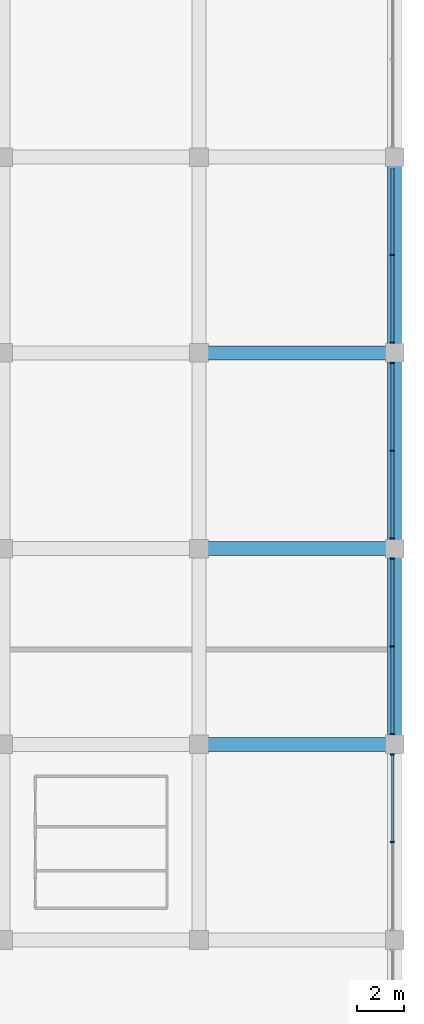
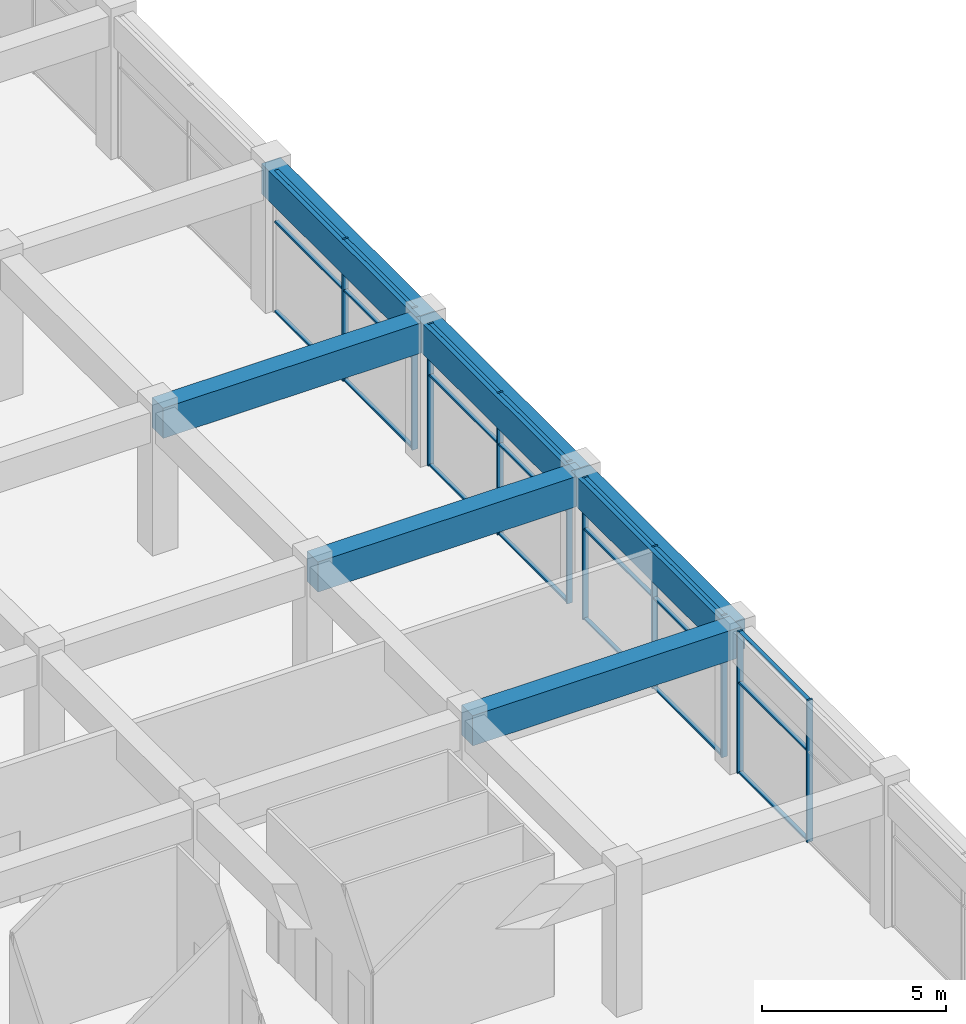
# One storey, part 16 of 34: 31 members, 6 beams, 4 elements without a shape of their own.
"""IFC4 building model written with IfcOpenShell, lengths in metres."""

from ifc_helpers import new_model, si_unit, direction, frame, origin, origin_2d, place, context, subcontext, project, spatial, rectangle, extrude, material, material_profile, profile_set, type_object, element, aggregate, save


model = new_model("IFC4")

# Units and contexts
model_context = context("Model", 3, precision=1e-05, world=origin(), true_north=direction((0.0, 1.0)))
body_context = subcontext(model_context, "Body", "Model", "MODEL_VIEW")
ifc_project = project(units=[si_unit("LENGTHUNIT", "METRE"), si_unit("AREAUNIT", "SQUARE_METRE"), si_unit("VOLUMEUNIT", "CUBIC_METRE"), si_unit("PLANEANGLEUNIT", "RADIAN"), si_unit("MASSUNIT", "GRAM", prefix="KILO")], contexts=[model_context])

# Site, building, storey
site_placement = place(None, origin())
site = spatial("IfcSite", under=ifc_project, at=site_placement, CompositionType="ELEMENT")
building_placement = place(site_placement, origin())
building = spatial("IfcBuilding", under=site, at=building_placement, Name="Impinga Residences", CompositionType="ELEMENT")
storey_placement = place(building_placement, frame((0.0, 0.0, 16.0)))
storey = spatial("IfcBuildingStorey", under=building, at=storey_placement, Name="L03", CompositionType="ELEMENT", Elevation=16.0)

# Curtain wall, members
ifc_material_1 = material(Name="Aluminium stick curtain wall", Category="aluminium")
curtain_wall_type = type_object("IfcCurtainWallType", Name="CW1 podium amenity curtain wall", PredefinedType="USERDEFINED", material=ifc_material_1)
curtain_wall_1_placement = place(storey_placement, origin())
curtain_wall_1 = element("IfcCurtainWall", 1, at=curtain_wall_1_placement, inside=storey, type_object=curtain_wall_type, Name="Curtain wall CW1 L03", ObjectType="STICK CURTAIN WALL", PredefinedType="USERDEFINED")
ifc_material_2 = material(Name="Aluminium mullion", Category="aluminium")
ifc_material_profile_1 = material_profile(ifc_material_2, rectangle(XDim=0.06005859375, YDim=0.179931640625, at=origin_2d()), Name="60x180 mullion")
ifc_profile_set_1 = profile_set([ifc_material_profile_1], Name="Aluminium mullion")
member_type_1 = type_object("IfcMemberType", Name="CW1-M mullion 60x180", PredefinedType="MULLION", material=ifc_profile_set_1)
member_1_placement = place(storey_placement, frame((50.300048828125, 29.39990234375, 0.0), z_axis=(0.0, 0.0, 1.0), x_axis=(0.0, -1.0, 0.0)))
member_1 = element("IfcMember", 2, at=member_1_placement, type_object=member_type_1, Name="CW1 mullion 2", PredefinedType="MULLION", context=body_context, shape_type="SweptSolid", body=[
    extrude(rectangle(XDim=0.06005859375, YDim=0.179931640625, at=origin_2d()), origin(), (0.0, 0.0, 1.0), 4.699951171875),
])
member_2_placement = place(storey_placement, frame((50.300048828125, 25.633056640625, 0.0), z_axis=(0.0, 0.0, 1.0), x_axis=(0.0, -1.0, 0.0)))
member_2 = element("IfcMember", 3, at=member_2_placement, type_object=member_type_1, Name="CW1 mullion 3", PredefinedType="MULLION", context=body_context, shape_type="SweptSolid", body=[
    extrude(rectangle(XDim=0.06005859375, YDim=0.179931640625, at=origin_2d()), origin(), (0.0, 0.0, 1.0), 4.699951171875),
])

curtain_wall_2_placement = place(storey_placement, origin())
curtain_wall_2 = element("IfcCurtainWall", 4, at=curtain_wall_2_placement, inside=storey, type_object=curtain_wall_type, Name="Curtain wall CW1 L03", ObjectType="STICK CURTAIN WALL", PredefinedType="USERDEFINED")
member_3_placement = place(storey_placement, frame((50.300048828125, 24.76708984375, 0.0), z_axis=(0.0, 0.0, 1.0), x_axis=(0.0, -1.0, 0.0)))
member_3 = element("IfcMember", 5, at=member_3_placement, type_object=member_type_1, Name="CW1 mullion 1", PredefinedType="MULLION", context=body_context, shape_type="SweptSolid", body=[
    extrude(rectangle(XDim=0.06005859375, YDim=0.179931640625, at=origin_2d()), origin(), (0.0, 0.0, 1.0), 4.699951171875),
])
member_4_placement = place(storey_placement, frame((50.300048828125, 21.0, 0.0), z_axis=(0.0, 0.0, 1.0), x_axis=(0.0, -1.0, 0.0)))
member_4 = element("IfcMember", 6, at=member_4_placement, type_object=member_type_1, Name="CW1 mullion 2", PredefinedType="MULLION", context=body_context, shape_type="SweptSolid", body=[
    extrude(rectangle(XDim=0.06005859375, YDim=0.179931640625, at=origin_2d()), origin(), (0.0, 0.0, 1.0), 4.699951171875),
])
member_5_placement = place(storey_placement, frame((50.300048828125, 17.23291015625, 0.0), z_axis=(0.0, 0.0, 1.0), x_axis=(0.0, -1.0, 0.0)))
member_5 = element("IfcMember", 7, at=member_5_placement, type_object=member_type_1, Name="CW1 mullion 3", PredefinedType="MULLION", context=body_context, shape_type="SweptSolid", body=[
    extrude(rectangle(XDim=0.06005859375, YDim=0.179931640625, at=origin_2d()), origin(), (0.0, 0.0, 1.0), 4.699951171875),
])

curtain_wall_3_placement = place(storey_placement, origin())
curtain_wall_3 = element("IfcCurtainWall", 8, at=curtain_wall_3_placement, inside=storey, type_object=curtain_wall_type, Name="Curtain wall CW1 L03", ObjectType="STICK CURTAIN WALL", PredefinedType="USERDEFINED")
member_6_placement = place(storey_placement, frame((50.300048828125, 16.366943359375, 0.0), z_axis=(0.0, 0.0, 1.0), x_axis=(0.0, -1.0, 0.0)))
member_6 = element("IfcMember", 9, at=member_6_placement, type_object=member_type_1, Name="CW1 mullion 1", PredefinedType="MULLION", context=body_context, shape_type="SweptSolid", body=[
    extrude(rectangle(XDim=0.06005859375, YDim=0.179931640625, at=origin_2d()), origin(), (0.0, 0.0, 1.0), 4.699951171875),
])
member_7_placement = place(storey_placement, frame((50.300048828125, 12.60009765625, 0.0), z_axis=(0.0, 0.0, 1.0), x_axis=(0.0, -1.0, 0.0)))
member_7 = element("IfcMember", 10, at=member_7_placement, type_object=member_type_1, Name="CW1 mullion 2", PredefinedType="MULLION", context=body_context, shape_type="SweptSolid", body=[
    extrude(rectangle(XDim=0.06005859375, YDim=0.179931640625, at=origin_2d()), origin(), (0.0, 0.0, 1.0), 4.699951171875),
])
member_8_placement = place(storey_placement, frame((50.300048828125, 8.8330078125, 0.0), z_axis=(0.0, 0.0, 1.0), x_axis=(0.0, -1.0, 0.0)))
member_8 = element("IfcMember", 11, at=member_8_placement, type_object=member_type_1, Name="CW1 mullion 3", PredefinedType="MULLION", context=body_context, shape_type="SweptSolid", body=[
    extrude(rectangle(XDim=0.06005859375, YDim=0.179931640625, at=origin_2d()), origin(), (0.0, 0.0, 1.0), 4.699951171875),
])

curtain_wall_4_placement = place(storey_placement, origin())
curtain_wall_4 = element("IfcCurtainWall", 12, at=curtain_wall_4_placement, inside=storey, type_object=curtain_wall_type, Name="Curtain wall CW1 L03", ObjectType="STICK CURTAIN WALL", PredefinedType="USERDEFINED")
member_9_placement = place(storey_placement, frame((50.300048828125, 7.967041015625, 0.0), z_axis=(0.0, 0.0, 1.0), x_axis=(0.0, -1.0, 0.0)))
member_9 = element("IfcMember", 13, at=member_9_placement, type_object=member_type_1, Name="CW1 mullion 1", PredefinedType="MULLION", context=body_context, shape_type="SweptSolid", body=[
    extrude(rectangle(XDim=0.06005859375, YDim=0.179931640625, at=origin_2d()), origin(), (0.0, 0.0, 1.0), 4.699951171875),
])
member_10_placement = place(storey_placement, frame((50.300048828125, 4.199951171875, 0.0), z_axis=(0.0, 0.0, 1.0), x_axis=(0.0, -1.0, 0.0)))
member_10 = element("IfcMember", 14, at=member_10_placement, type_object=member_type_1, Name="CW1 mullion 2", PredefinedType="MULLION", context=body_context, shape_type="SweptSolid", body=[
    extrude(rectangle(XDim=0.06005859375, YDim=0.179931640625, at=origin_2d()), origin(), (0.0, 0.0, 1.0), 4.699951171875),
])

# Member
ifc_material_3 = material(Name="Aluminium transom", Category="aluminium")
ifc_material_profile_2 = material_profile(ifc_material_3, rectangle(XDim=0.06005859375, YDim=0.1201171875, at=origin_2d()), Name="60x120 transom")
ifc_profile_set_2 = profile_set([ifc_material_profile_2], Name="Aluminium transom")
member_type_2 = type_object("IfcMemberType", Name="CW1-T transom 60x120", PredefinedType="USERDEFINED", material=ifc_profile_set_2)
member_11_placement = place(storey_placement, frame((50.300048828125, 33.136962890625, 0.030029296875), z_axis=(0.0, -1.0, 0.0), x_axis=(0.0, 0.0, 1.0)))
member_11 = element("IfcMember", 15, at=member_11_placement, type_object=member_type_2, Name="CW1 transom 1.1", ObjectType="TRANSOM", PredefinedType="USERDEFINED", context=body_context, shape_type="SweptSolid", body=[
    extrude(rectangle(XDim=0.06005859375, YDim=0.1201171875, at=origin_2d()), origin(), (0.0, 0.0, 1.0), 3.70703125),
])

member_12_placement = place(storey_placement, frame((50.300048828125, 33.136962890625, 3.0), z_axis=(0.0, -1.0, 0.0), x_axis=(0.0, 0.0, 1.0)))
member_12 = element("IfcMember", 16, at=member_12_placement, type_object=member_type_2, Name="CW1 transom 1.2", ObjectType="TRANSOM", PredefinedType="USERDEFINED", context=body_context, shape_type="SweptSolid", body=[
    extrude(rectangle(XDim=0.06005859375, YDim=0.1201171875, at=origin_2d()), origin(), (0.0, 0.0, 1.0), 3.70703125),
])

member_13_placement = place(storey_placement, frame((50.300048828125, 33.136962890625, 4.669921875), z_axis=(0.0, -1.0, 0.0), x_axis=(0.0, 0.0, 1.0)))
member_13 = element("IfcMember", 17, at=member_13_placement, type_object=member_type_2, Name="CW1 transom 1.3", ObjectType="TRANSOM", PredefinedType="USERDEFINED", context=body_context, shape_type="SweptSolid", body=[
    extrude(rectangle(XDim=0.06005859375, YDim=0.1201171875, at=origin_2d()), origin(), (0.0, 0.0, 1.0), 3.70703125),
])

member_14_placement = place(storey_placement, frame((50.300048828125, 29.3701171875, 0.030029296875), z_axis=(0.0, -1.0, 0.0), x_axis=(0.0, 0.0, 1.0)))
member_14 = element("IfcMember", 18, at=member_14_placement, type_object=member_type_2, Name="CW1 transom 2.1", ObjectType="TRANSOM", PredefinedType="USERDEFINED", context=body_context, shape_type="SweptSolid", body=[
    extrude(rectangle(XDim=0.06005859375, YDim=0.1201171875, at=origin_2d()), origin(), (0.0, 0.0, 1.0), 3.70703125),
])

member_15_placement = place(storey_placement, frame((50.300048828125, 29.3701171875, 3.0), z_axis=(0.0, -1.0, 0.0), x_axis=(0.0, 0.0, 1.0)))
member_15 = element("IfcMember", 19, at=member_15_placement, type_object=member_type_2, Name="CW1 transom 2.2", ObjectType="TRANSOM", PredefinedType="USERDEFINED", context=body_context, shape_type="SweptSolid", body=[
    extrude(rectangle(XDim=0.06005859375, YDim=0.1201171875, at=origin_2d()), origin(), (0.0, 0.0, 1.0), 3.70703125),
])

member_16_placement = place(storey_placement, frame((50.300048828125, 29.3701171875, 4.669921875), z_axis=(0.0, -1.0, 0.0), x_axis=(0.0, 0.0, 1.0)))
member_16 = element("IfcMember", 20, at=member_16_placement, type_object=member_type_2, Name="CW1 transom 2.3", ObjectType="TRANSOM", PredefinedType="USERDEFINED", context=body_context, shape_type="SweptSolid", body=[
    extrude(rectangle(XDim=0.06005859375, YDim=0.1201171875, at=origin_2d()), origin(), (0.0, 0.0, 1.0), 3.70703125),
])

aggregate(curtain_wall_1, [member_1, member_2, member_11, member_12, member_13, member_14, member_15, member_16])

member_17_placement = place(storey_placement, frame((50.300048828125, 24.737060546875, 0.030029296875), z_axis=(0.0, -1.0, 0.0), x_axis=(0.0, 0.0, 1.0)))
member_17 = element("IfcMember", 21, at=member_17_placement, type_object=member_type_2, Name="CW1 transom 1.1", ObjectType="TRANSOM", PredefinedType="USERDEFINED", context=body_context, shape_type="SweptSolid", body=[
    extrude(rectangle(XDim=0.06005859375, YDim=0.1201171875, at=origin_2d()), origin(), (0.0, 0.0, 1.0), 3.70703125),
])

member_18_placement = place(storey_placement, frame((50.300048828125, 24.737060546875, 3.0), z_axis=(0.0, -1.0, 0.0), x_axis=(0.0, 0.0, 1.0)))
member_18 = element("IfcMember", 22, at=member_18_placement, type_object=member_type_2, Name="CW1 transom 1.2", ObjectType="TRANSOM", PredefinedType="USERDEFINED", context=body_context, shape_type="SweptSolid", body=[
    extrude(rectangle(XDim=0.06005859375, YDim=0.1201171875, at=origin_2d()), origin(), (0.0, 0.0, 1.0), 3.70703125),
])

member_19_placement = place(storey_placement, frame((50.300048828125, 24.737060546875, 4.669921875), z_axis=(0.0, -1.0, 0.0), x_axis=(0.0, 0.0, 1.0)))
member_19 = element("IfcMember", 23, at=member_19_placement, type_object=member_type_2, Name="CW1 transom 1.3", ObjectType="TRANSOM", PredefinedType="USERDEFINED", context=body_context, shape_type="SweptSolid", body=[
    extrude(rectangle(XDim=0.06005859375, YDim=0.1201171875, at=origin_2d()), origin(), (0.0, 0.0, 1.0), 3.70703125),
])

member_20_placement = place(storey_placement, frame((50.300048828125, 20.969970703125, 0.030029296875), z_axis=(0.0, -1.0, 0.0), x_axis=(0.0, 0.0, 1.0)))
member_20 = element("IfcMember", 24, at=member_20_placement, type_object=member_type_2, Name="CW1 transom 2.1", ObjectType="TRANSOM", PredefinedType="USERDEFINED", context=body_context, shape_type="SweptSolid", body=[
    extrude(rectangle(XDim=0.06005859375, YDim=0.1201171875, at=origin_2d()), origin(), (0.0, 0.0, 1.0), 3.70703125),
])

member_21_placement = place(storey_placement, frame((50.300048828125, 20.969970703125, 3.0), z_axis=(0.0, -1.0, 0.0), x_axis=(0.0, 0.0, 1.0)))
member_21 = element("IfcMember", 25, at=member_21_placement, type_object=member_type_2, Name="CW1 transom 2.2", ObjectType="TRANSOM", PredefinedType="USERDEFINED", context=body_context, shape_type="SweptSolid", body=[
    extrude(rectangle(XDim=0.06005859375, YDim=0.1201171875, at=origin_2d()), origin(), (0.0, 0.0, 1.0), 3.70703125),
])

member_22_placement = place(storey_placement, frame((50.300048828125, 20.969970703125, 4.669921875), z_axis=(0.0, -1.0, 0.0), x_axis=(0.0, 0.0, 1.0)))
member_22 = element("IfcMember", 26, at=member_22_placement, type_object=member_type_2, Name="CW1 transom 2.3", ObjectType="TRANSOM", PredefinedType="USERDEFINED", context=body_context, shape_type="SweptSolid", body=[
    extrude(rectangle(XDim=0.06005859375, YDim=0.1201171875, at=origin_2d()), origin(), (0.0, 0.0, 1.0), 3.70703125),
])

aggregate(curtain_wall_2, [member_3, member_4, member_5, member_17, member_18, member_19, member_20, member_21, member_22])

member_23_placement = place(storey_placement, frame((50.300048828125, 16.3369140625, 0.030029296875), z_axis=(0.0, -1.0, 0.0), x_axis=(0.0, 0.0, 1.0)))
member_23 = element("IfcMember", 27, at=member_23_placement, type_object=member_type_2, Name="CW1 transom 1.1", ObjectType="TRANSOM", PredefinedType="USERDEFINED", context=body_context, shape_type="SweptSolid", body=[
    extrude(rectangle(XDim=0.06005859375, YDim=0.1201171875, at=origin_2d()), origin(), (0.0, 0.0, 1.0), 3.70703125),
])

member_24_placement = place(storey_placement, frame((50.300048828125, 16.3369140625, 3.0), z_axis=(0.0, -1.0, 0.0), x_axis=(0.0, 0.0, 1.0)))
member_24 = element("IfcMember", 28, at=member_24_placement, type_object=member_type_2, Name="CW1 transom 1.2", ObjectType="TRANSOM", PredefinedType="USERDEFINED", context=body_context, shape_type="SweptSolid", body=[
    extrude(rectangle(XDim=0.06005859375, YDim=0.1201171875, at=origin_2d()), origin(), (0.0, 0.0, 1.0), 3.70703125),
])

member_25_placement = place(storey_placement, frame((50.300048828125, 16.3369140625, 4.669921875), z_axis=(0.0, -1.0, 0.0), x_axis=(0.0, 0.0, 1.0)))
member_25 = element("IfcMember", 29, at=member_25_placement, type_object=member_type_2, Name="CW1 transom 1.3", ObjectType="TRANSOM", PredefinedType="USERDEFINED", context=body_context, shape_type="SweptSolid", body=[
    extrude(rectangle(XDim=0.06005859375, YDim=0.1201171875, at=origin_2d()), origin(), (0.0, 0.0, 1.0), 3.70703125),
])

member_26_placement = place(storey_placement, frame((50.300048828125, 12.570068359375, 0.030029296875), z_axis=(0.0, -1.0, 0.0), x_axis=(0.0, 0.0, 1.0)))
member_26 = element("IfcMember", 30, at=member_26_placement, type_object=member_type_2, Name="CW1 transom 2.1", ObjectType="TRANSOM", PredefinedType="USERDEFINED", context=body_context, shape_type="SweptSolid", body=[
    extrude(rectangle(XDim=0.06005859375, YDim=0.1201171875, at=origin_2d()), origin(), (0.0, 0.0, 1.0), 3.70703125),
])

member_27_placement = place(storey_placement, frame((50.300048828125, 12.570068359375, 3.0), z_axis=(0.0, -1.0, 0.0), x_axis=(0.0, 0.0, 1.0)))
member_27 = element("IfcMember", 31, at=member_27_placement, type_object=member_type_2, Name="CW1 transom 2.2", ObjectType="TRANSOM", PredefinedType="USERDEFINED", context=body_context, shape_type="SweptSolid", body=[
    extrude(rectangle(XDim=0.06005859375, YDim=0.1201171875, at=origin_2d()), origin(), (0.0, 0.0, 1.0), 3.70703125),
])

member_28_placement = place(storey_placement, frame((50.300048828125, 12.570068359375, 4.669921875), z_axis=(0.0, -1.0, 0.0), x_axis=(0.0, 0.0, 1.0)))
member_28 = element("IfcMember", 32, at=member_28_placement, type_object=member_type_2, Name="CW1 transom 2.3", ObjectType="TRANSOM", PredefinedType="USERDEFINED", context=body_context, shape_type="SweptSolid", body=[
    extrude(rectangle(XDim=0.06005859375, YDim=0.1201171875, at=origin_2d()), origin(), (0.0, 0.0, 1.0), 3.70703125),
])

aggregate(curtain_wall_3, [member_6, member_7, member_8, member_23, member_24, member_25, member_26, member_27, member_28])

member_29_placement = place(storey_placement, frame((50.300048828125, 7.93701171875, 0.030029296875), z_axis=(0.0, -1.0, 0.0), x_axis=(0.0, 0.0, 1.0)))
member_29 = element("IfcMember", 33, at=member_29_placement, type_object=member_type_2, Name="CW1 transom 1.1", ObjectType="TRANSOM", PredefinedType="USERDEFINED", context=body_context, shape_type="SweptSolid", body=[
    extrude(rectangle(XDim=0.06005859375, YDim=0.1201171875, at=origin_2d()), origin(), (0.0, 0.0, 1.0), 3.70703125),
])

member_30_placement = place(storey_placement, frame((50.300048828125, 7.93701171875, 3.0), z_axis=(0.0, -1.0, 0.0), x_axis=(0.0, 0.0, 1.0)))
member_30 = element("IfcMember", 34, at=member_30_placement, type_object=member_type_2, Name="CW1 transom 1.2", ObjectType="TRANSOM", PredefinedType="USERDEFINED", context=body_context, shape_type="SweptSolid", body=[
    extrude(rectangle(XDim=0.06005859375, YDim=0.1201171875, at=origin_2d()), origin(), (0.0, 0.0, 1.0), 3.70703125),
])

member_31_placement = place(storey_placement, frame((50.300048828125, 7.93701171875, 4.669921875), z_axis=(0.0, -1.0, 0.0), x_axis=(0.0, 0.0, 1.0)))
member_31 = element("IfcMember", 35, at=member_31_placement, type_object=member_type_2, Name="CW1 transom 1.3", ObjectType="TRANSOM", PredefinedType="USERDEFINED", context=body_context, shape_type="SweptSolid", body=[
    extrude(rectangle(XDim=0.06005859375, YDim=0.1201171875, at=origin_2d()), origin(), (0.0, 0.0, 1.0), 3.70703125),
])

aggregate(curtain_wall_4, [member_9, member_10, member_29, member_30, member_31])

# Beams
ifc_material_4 = material(Name="Concrete C60/75", Category="concrete")
ifc_material_profile_3 = material_profile(ifc_material_4, rectangle(XDim=0.60009765625, YDim=1.0, at=origin_2d()), Name="RC 600x1000")
ifc_profile_set_3 = profile_set([ifc_material_profile_3], Name="Concrete C60/75")
beam_type = type_object("IfcBeamType", Name="PB2 600x1000 podium beam", PredefinedType="BEAM", material=ifc_profile_set_3)
for number, where, z_axis, x_axis, name in (
    (36, (42.0, 8.39990234375, 4.199951171875), (1.0, 0.0, 0.0), (0.0, 1.0, 0.0), "Beam PB2 G/12-13 level L04"),
    (37, (42.0, 16.800048828125, 4.199951171875), (1.0, 0.0, 0.0), (0.0, 1.0, 0.0), "Beam PB2 H/12-13 level L04"),
    (38, (42.0, 25.199951171875, 4.199951171875), (1.0, 0.0, 0.0), (0.0, 1.0, 0.0), "Beam PB2 J/12-13 level L04"),
):
    element("IfcBeam", number, at=place(storey_placement, frame(where, z_axis=z_axis, x_axis=x_axis)), inside=storey, type_object=beam_type, Name=name, PredefinedType="BEAM", context=body_context, shape_type="SweptSolid", body=[
        extrude(rectangle(XDim=0.60009765625, YDim=1.0, at=origin_2d()), origin(), (0.0, 0.0, 1.0), 8.39990234375),
    ])
beam_1_placement = place(storey_placement, frame((50.39990234375, 8.39990234375, 4.199951171875), z_axis=(0.0, 1.0, 0.0), x_axis=(-1.0, 0.0, 0.0)))
element("IfcBeam", 39, at=beam_1_placement, inside=storey, type_object=beam_type, Name="Beam PB2 13/G-H level L04", PredefinedType="BEAM", context=body_context, shape_type="SweptSolid", body=[
    extrude(rectangle(XDim=0.60009765625, YDim=1.0, at=origin_2d()), origin(), (0.0, 0.0, 1.0), 8.400146484375),
])
beam_2_placement = place(storey_placement, frame((50.39990234375, 16.800048828125, 4.199951171875), z_axis=(0.0, 1.0, 0.0), x_axis=(-1.0, 0.0, 0.0)))
element("IfcBeam", 40, at=beam_2_placement, inside=storey, type_object=beam_type, Name="Beam PB2 13/H-J level L04", PredefinedType="BEAM", context=body_context, shape_type="SweptSolid", body=[
    extrude(rectangle(XDim=0.60009765625, YDim=1.0, at=origin_2d()), origin(), (0.0, 0.0, 1.0), 8.39990234375),
])
beam_3_placement = place(storey_placement, frame((50.39990234375, 25.199951171875, 4.199951171875), z_axis=(0.0, 1.0, 0.0), x_axis=(-1.0, 0.0, 0.0)))
element("IfcBeam", 41, at=beam_3_placement, inside=storey, type_object=beam_type, Name="Beam PB2 13/J-K level L04", PredefinedType="BEAM", context=body_context, shape_type="SweptSolid", body=[
    extrude(rectangle(XDim=0.60009765625, YDim=1.0, at=origin_2d()), origin(), (0.0, 0.0, 1.0), 8.400146484375),
])

save(model, "model.ifc")
